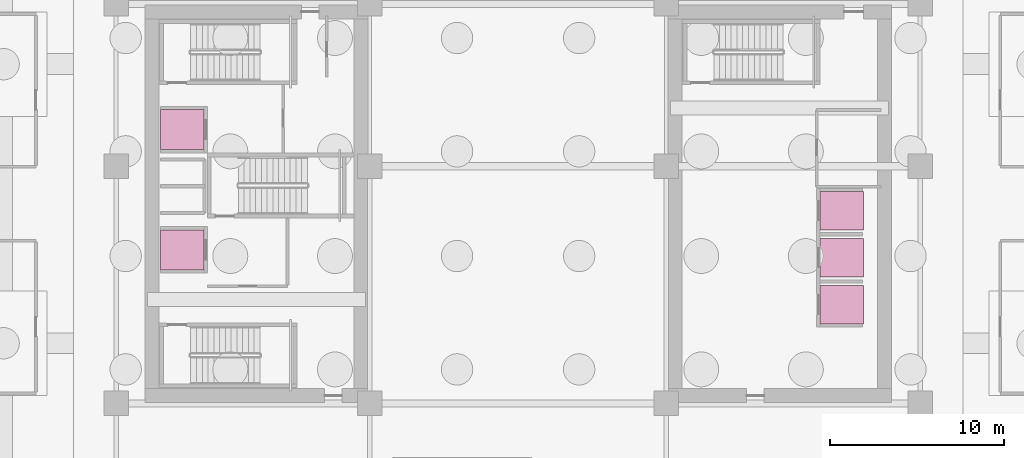
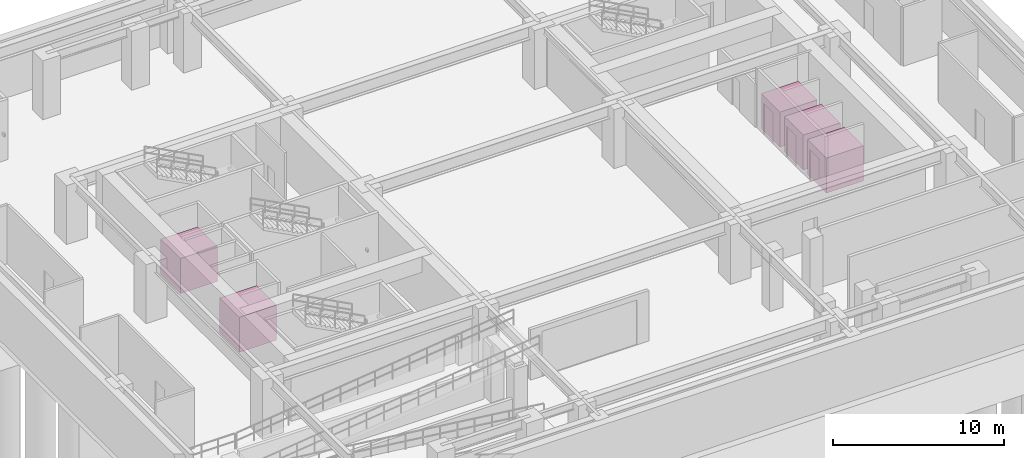
# One storey, part 9 of 9: 5 transport elements.
"""IFC4 building model written with IfcOpenShell, lengths in metres."""

from ifc_helpers import new_model, si_unit, direction, frame, origin, origin_2d, place, context, subcontext, project, spatial, rectangle, extrude, source, transform, mapped, material, type_object, element, save


model = new_model("IFC4")

# Units and contexts
model_context = context("Model", 3, precision=1e-05, world=origin(), true_north=direction((0.0, 1.0)))
body_context = subcontext(model_context, "Body", "Model", "MODEL_VIEW")
ifc_project = project(units=[si_unit("LENGTHUNIT", "METRE"), si_unit("AREAUNIT", "SQUARE_METRE"), si_unit("VOLUMEUNIT", "CUBIC_METRE"), si_unit("PLANEANGLEUNIT", "RADIAN"), si_unit("MASSUNIT", "GRAM", prefix="KILO")], contexts=[model_context])

# Site, building, storey
site_placement = place(None, origin())
site = spatial("IfcSite", under=ifc_project, at=site_placement, CompositionType="ELEMENT")
building_placement = place(site_placement, origin())
building = spatial("IfcBuilding", under=site, at=building_placement, Name="Ocotamira Hotel", CompositionType="ELEMENT")
storey_placement = place(building_placement, frame((0.0, 0.0, -9.0)))
storey = spatial("IfcBuildingStorey", under=building, at=storey_placement, Name="B02", CompositionType="ELEMENT", Elevation=-9.0)

# Transport elements
ifc_material = material(Name="Brushed pale-metal stainless steel cab", Category="steel")
transport_element_type_1 = type_object("IfcTransportElementType", Name="LFT-PASS-LOW", PredefinedType="ELEVATOR", material=ifc_material)
shared_shape_1 = source(origin(), body_context, "Body", "SweptSolid", [
    extrude(rectangle(XDim=2.5, YDim=2.199951171875, at=origin_2d()), origin(), (0.0, 0.0, 1.0), 2.5),
])
for number, where, z_axis, x_axis, name in (
    (1, (50.550048828125, 20.199951171875, 0.0), (0.0, 0.0, 1.0), (1.0, 0.0, 0.0), "Elevator Car LF-P1"),
    (2, (50.550048828125, 22.89990234375, 0.0), (0.0, 0.0, 1.0), (1.0, 0.0, 0.0), "Elevator Car LF-P2"),
    (3, (50.550048828125, 25.60009765625, 0.0), (0.0, 0.0, 1.0), (1.0, 0.0, 0.0), "Elevator Car LF-P3"),
):
    element("IfcTransportElement", number, at=place(storey_placement, frame(where, z_axis=z_axis, x_axis=x_axis)), inside=storey, type_object=transport_element_type_1, Name=name, PredefinedType="ELEVATOR", context=body_context, shape_type="MappedRepresentation", body=[
        mapped(shared_shape_1, transform((0.0, 0.0, 0.0), scale=1.0)),
    ])
transport_element_type_2 = type_object("IfcTransportElementType", Name="LFT-FSAE-2400", PredefinedType="ELEVATOR", material=ifc_material)
shared_shape_2 = source(origin(), body_context, "Body", "SweptSolid", [
    extrude(rectangle(XDim=2.5, YDim=2.300048828125, at=origin_2d()), origin(), (0.0, 0.0, 1.0), 2.5),
])
for number, where, z_axis, x_axis, name in (
    (4, (12.75, 23.35009765625, 0.0), (0.0, 0.0, 1.0), (1.0, 0.0, 0.0), "Elevator Car LF-FSAE1"),
    (5, (12.75, 30.25, 0.0), (0.0, 0.0, 1.0), (1.0, 0.0, 0.0), "Elevator Car LF-FSAE2"),
):
    element("IfcTransportElement", number, at=place(storey_placement, frame(where, z_axis=z_axis, x_axis=x_axis)), inside=storey, type_object=transport_element_type_2, Name=name, PredefinedType="ELEVATOR", context=body_context, shape_type="MappedRepresentation", body=[
        mapped(shared_shape_2, transform((0.0, 0.0, 0.0), scale=1.0)),
    ])

save(model, "model.ifc")
